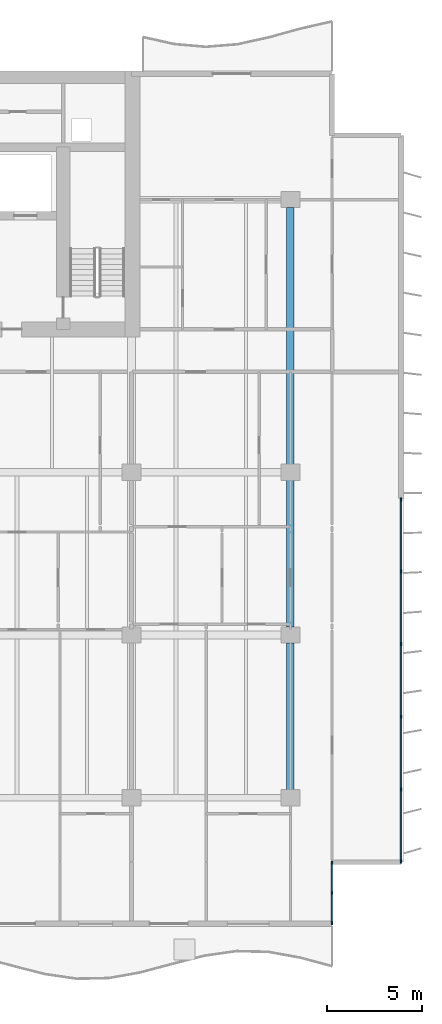
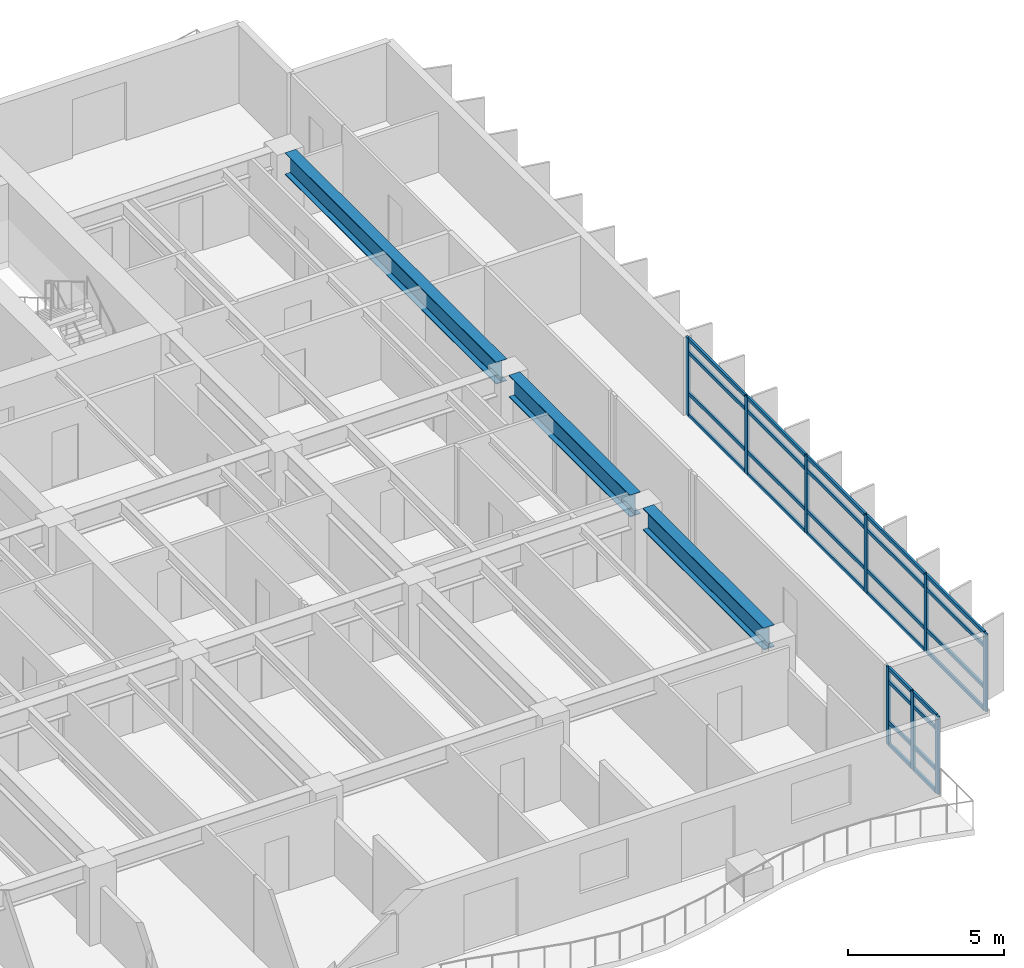
# One storey, part 4 of 18: 37 members, 3 beams, 2 elements without a shape of their own.
"""IFC4 building model written with IfcOpenShell, lengths in metres."""

from ifc_helpers import new_model, si_unit, direction, frame, origin, origin_2d, place, context, subcontext, project, spatial, rectangle, i_section, extrude, material, layer, layer_set, material_profile, profile_set, type_object, element, aggregate, save


model = new_model("IFC4")

# Units and contexts
model_context = context("Model", 3, precision=1e-05, world=origin(), true_north=direction((0.0, 1.0)))
body_context = subcontext(model_context, "Body", "Model", "MODEL_VIEW")
ifc_project = project(units=[si_unit("LENGTHUNIT", "METRE"), si_unit("AREAUNIT", "SQUARE_METRE"), si_unit("VOLUMEUNIT", "CUBIC_METRE"), si_unit("PLANEANGLEUNIT", "RADIAN"), si_unit("MASSUNIT", "GRAM", prefix="KILO")], contexts=[model_context])

# Site, building, storey
site_placement = place(None, origin())
site = spatial("IfcSite", under=ifc_project, at=site_placement, CompositionType="ELEMENT")
building_placement = place(site_placement, origin())
building = spatial("IfcBuilding", under=site, at=building_placement, Name="Caelmar Bay Residences", CompositionType="ELEMENT")
storey_placement = place(building_placement, frame((0.0, 0.0, 125.699951171875)))
storey = spatial("IfcBuildingStorey", under=building, at=storey_placement, Name="L34", CompositionType="ELEMENT", Elevation=125.699951171875)

# Beams
ifc_material_1 = material(Name="Steel ASTM A992 Grade 50", Category="steel")
ifc_material_profile_1 = material_profile(ifc_material_1, i_section(OverallWidth=0.40087890625, OverallDepth=0.861083984375, WebThickness=0.019775390625, FlangeThickness=0.032470703125, FilletRadius=0.017822265625, at=origin_2d()), Name="W33X221")
ifc_profile_set_1 = profile_set([ifc_material_profile_1], Name="Steel ASTM A992 Grade 50")
beam_type = type_object("IfcBeamType", Name="BM-GRD-W33X221", PredefinedType="BEAM", material=ifc_profile_set_1)
for number, where, z_axis, x_axis, name in (
    (1, (67.89990234375, 12.614990234375, 2.61962890625), (0.0, 1.0, 0.0), (-1.0, 0.0, 0.0), "L34 North-South Girder X=67.90 (12.2-20.8)"),
    (2, (67.89990234375, 21.215087890625, 2.61962890625), (0.0, 1.0, 0.0), (-1.0, 0.0, 0.0), "L34 North-South Girder X=67.90 (20.8-29.4)"),
):
    element("IfcBeam", number, at=place(storey_placement, frame(where, z_axis=z_axis, x_axis=x_axis)), inside=storey, type_object=beam_type, Name=name, PredefinedType="BEAM", context=body_context, shape_type="SweptSolid", body=[
        extrude(i_section(OverallWidth=0.40087890625, OverallDepth=0.861083984375, WebThickness=0.019775390625, FlangeThickness=0.032470703125, FilletRadius=0.017822265625, at=origin_2d()), origin(), (0.0, 0.0, 1.0), 7.77001953125),
    ])
beam_placement = place(storey_placement, frame((67.89990234375, 29.81494140625, 2.61962890625), z_axis=(0.0, 1.0, 0.0), x_axis=(-1.0, 0.0, 0.0)))
element("IfcBeam", 3, at=beam_placement, inside=storey, type_object=beam_type, Name="L34 North-South Girder X=67.90 (29.4-43.8)", PredefinedType="BEAM", context=body_context, shape_type="SweptSolid", body=[
    extrude(i_section(OverallWidth=0.40087890625, OverallDepth=0.861083984375, WebThickness=0.019775390625, FlangeThickness=0.032470703125, FilletRadius=0.017822265625, at=origin_2d()), origin(), (0.0, 0.0, 1.0), 13.570068359375),
])

# Curtain wall, members
ifc_material_2 = material(Name="Anodised bronze aluminium 6063-T6 and laminated glass", Category="aluminium")
ifc_layer_1 = layer(ifc_material_2, 0.179931640625)
ifc_layer_set_1 = layer_set([ifc_layer_1], Name="Anodised bronze aluminium 6063-T6 and laminated glass")
curtain_wall_type_1 = type_object("IfcCurtainWallType", Name="CW6-NTC", PredefinedType="NOTDEFINED", material=ifc_layer_set_1)
curtain_wall_1_placement = place(storey_placement, origin())
curtain_wall_1 = element("IfcCurtainWall", 4, at=curtain_wall_1_placement, inside=storey, type_object=curtain_wall_type_1, Name="CW6 curtain wall L34", PredefinedType="NOTDEFINED")
ifc_material_3 = material(Name="Anodised bronze aluminium 6063-T6", Category="aluminium")
ifc_material_profile_2 = material_profile(ifc_material_3, rectangle(XDim=0.080078125, YDim=0.179931640625, at=origin_2d()), Name="CWM-80X180")
ifc_profile_set_2 = profile_set([ifc_material_profile_2], Name="Anodised bronze aluminium 6063-T6")
member_type_1 = type_object("IfcMemberType", Name="CWM-180", PredefinedType="MULLION", material=ifc_profile_set_2)
member_1_placement = place(storey_placement, frame((70.10009765625, 5.590087890625, 0.0), z_axis=(0.0, 0.0, 1.0), x_axis=(-1.0, 0.0, 0.0)))
member_1 = element("IfcMember", 5, at=member_1_placement, type_object=member_type_1, Name="CW6 mullion 1", PredefinedType="MULLION", context=body_context, shape_type="SweptSolid", body=[
    extrude(rectangle(XDim=0.080078125, YDim=0.179931640625, at=origin_2d()), origin(), (0.0, 0.0, 1.0), 3.050048828125),
])
member_2_placement = place(storey_placement, frame((70.10009765625, 7.175048828125, 0.0), z_axis=(0.0, 0.0, 1.0), x_axis=(-1.0, 0.0, 0.0)))
member_2 = element("IfcMember", 6, at=member_2_placement, type_object=member_type_1, Name="CW6 mullion 2", PredefinedType="MULLION", context=body_context, shape_type="SweptSolid", body=[
    extrude(rectangle(XDim=0.080078125, YDim=0.179931640625, at=origin_2d()), origin(), (0.0, 0.0, 1.0), 3.050048828125),
])
member_3_placement = place(storey_placement, frame((70.10009765625, 8.760009765625, 0.0), z_axis=(0.0, 0.0, 1.0), x_axis=(-1.0, 0.0, 0.0)))
member_3 = element("IfcMember", 7, at=member_3_placement, type_object=member_type_1, Name="CW6 mullion 3", PredefinedType="MULLION", context=body_context, shape_type="SweptSolid", body=[
    extrude(rectangle(XDim=0.080078125, YDim=0.179931640625, at=origin_2d()), origin(), (0.0, 0.0, 1.0), 3.050048828125),
])

ifc_layer_2 = layer(ifc_material_2, 0.179931640625)
ifc_layer_set_2 = layer_set([ifc_layer_2], Name="Anodised bronze aluminium 6063-T6 and laminated glass")
curtain_wall_type_2 = type_object("IfcCurtainWallType", Name="CW3-Z2", PredefinedType="NOTDEFINED", material=ifc_layer_set_2)
curtain_wall_2_placement = place(storey_placement, origin())
curtain_wall_2 = element("IfcCurtainWall", 8, at=curtain_wall_2_placement, inside=storey, type_object=curtain_wall_type_2, Name="CW3 curtain wall L34", PredefinedType="NOTDEFINED")
member_4_placement = place(storey_placement, frame((73.75, 27.9599609375, 0.0), z_axis=(0.0, 0.0, 1.0), x_axis=(1.0, 0.0, 0.0)))
member_4 = element("IfcMember", 9, at=member_4_placement, type_object=member_type_1, Name="CW3 mullion 1", PredefinedType="MULLION", context=body_context, shape_type="SweptSolid", body=[
    extrude(rectangle(XDim=0.080078125, YDim=0.179931640625, at=origin_2d()), origin(), (0.0, 0.0, 1.0), 3.050048828125),
])
member_5_placement = place(storey_placement, frame((73.75, 24.159912109375, 0.0), z_axis=(0.0, 0.0, 1.0), x_axis=(1.0, 0.0, 0.0)))
member_5 = element("IfcMember", 10, at=member_5_placement, type_object=member_type_1, Name="CW3 mullion 2", PredefinedType="MULLION", context=body_context, shape_type="SweptSolid", body=[
    extrude(rectangle(XDim=0.080078125, YDim=0.179931640625, at=origin_2d()), origin(), (0.0, 0.0, 1.0), 3.050048828125),
])
member_6_placement = place(storey_placement, frame((73.75, 20.320068359375, 0.0), z_axis=(0.0, 0.0, 1.0), x_axis=(1.0, 0.0, 0.0)))
member_6 = element("IfcMember", 11, at=member_6_placement, type_object=member_type_1, Name="CW3 mullion 3", PredefinedType="MULLION", context=body_context, shape_type="SweptSolid", body=[
    extrude(rectangle(XDim=0.080078125, YDim=0.179931640625, at=origin_2d()), origin(), (0.0, 0.0, 1.0), 3.050048828125),
])
member_7_placement = place(storey_placement, frame((73.75, 16.47998046875, 0.0), z_axis=(0.0, 0.0, 1.0), x_axis=(1.0, 0.0, 0.0)))
member_7 = element("IfcMember", 12, at=member_7_placement, type_object=member_type_1, Name="CW3 mullion 4", PredefinedType="MULLION", context=body_context, shape_type="SweptSolid", body=[
    extrude(rectangle(XDim=0.080078125, YDim=0.179931640625, at=origin_2d()), origin(), (0.0, 0.0, 1.0), 3.050048828125),
])
member_8_placement = place(storey_placement, frame((73.75, 12.639892578125, 0.0), z_axis=(0.0, 0.0, 1.0), x_axis=(1.0, 0.0, 0.0)))
member_8 = element("IfcMember", 13, at=member_8_placement, type_object=member_type_1, Name="CW3 mullion 5", PredefinedType="MULLION", context=body_context, shape_type="SweptSolid", body=[
    extrude(rectangle(XDim=0.080078125, YDim=0.179931640625, at=origin_2d()), origin(), (0.0, 0.0, 1.0), 3.050048828125),
])
member_9_placement = place(storey_placement, frame((73.75, 8.840087890625, 0.0), z_axis=(0.0, 0.0, 1.0), x_axis=(1.0, 0.0, 0.0)))
member_9 = element("IfcMember", 14, at=member_9_placement, type_object=member_type_1, Name="CW3 mullion 6", PredefinedType="MULLION", context=body_context, shape_type="SweptSolid", body=[
    extrude(rectangle(XDim=0.080078125, YDim=0.179931640625, at=origin_2d()), origin(), (0.0, 0.0, 1.0), 3.050048828125),
])

# Member
ifc_material_profile_3 = material_profile(ifc_material_3, rectangle(XDim=0.080078125, YDim=0.139892578125, at=origin_2d()), Name="CWT-80X140")
ifc_profile_set_3 = profile_set([ifc_material_profile_3], Name="Anodised bronze aluminium 6063-T6")
member_type_2 = type_object("IfcMemberType", Name="CWT-140", PredefinedType="NOTDEFINED", material=ifc_profile_set_3)
member_10_placement = place(storey_placement, frame((70.10009765625, 5.6298828125, 0.0400390625), z_axis=(0.0, 1.0, 0.0), x_axis=(-1.0, 0.0, 0.0)))
member_10 = element("IfcMember", 15, at=member_10_placement, type_object=member_type_2, Name="CW6 transom 1.1", ObjectType="TRANSOM", PredefinedType="USERDEFINED", context=body_context, shape_type="SweptSolid", body=[
    extrude(rectangle(XDim=0.080078125, YDim=0.139892578125, at=origin_2d()), origin(), (0.0, 0.0, 1.0), 1.505126953125),
])

member_11_placement = place(storey_placement, frame((70.10009765625, 5.6298828125, 0.900146484375), z_axis=(0.0, 1.0, 0.0), x_axis=(-1.0, 0.0, 0.0)))
member_11 = element("IfcMember", 16, at=member_11_placement, type_object=member_type_2, Name="CW6 transom 1.2", ObjectType="TRANSOM", PredefinedType="USERDEFINED", context=body_context, shape_type="SweptSolid", body=[
    extrude(rectangle(XDim=0.080078125, YDim=0.139892578125, at=origin_2d()), origin(), (0.0, 0.0, 1.0), 1.505126953125),
])

member_12_placement = place(storey_placement, frame((70.10009765625, 5.6298828125, 2.5), z_axis=(0.0, 1.0, 0.0), x_axis=(-1.0, 0.0, 0.0)))
member_12 = element("IfcMember", 17, at=member_12_placement, type_object=member_type_2, Name="CW6 transom 1.3", ObjectType="TRANSOM", PredefinedType="USERDEFINED", context=body_context, shape_type="SweptSolid", body=[
    extrude(rectangle(XDim=0.080078125, YDim=0.139892578125, at=origin_2d()), origin(), (0.0, 0.0, 1.0), 1.505126953125),
])

member_13_placement = place(storey_placement, frame((70.10009765625, 5.6298828125, 3.010009765625), z_axis=(0.0, 1.0, 0.0), x_axis=(-1.0, 0.0, 0.0)))
member_13 = element("IfcMember", 18, at=member_13_placement, type_object=member_type_2, Name="CW6 transom 1.4", ObjectType="TRANSOM", PredefinedType="USERDEFINED", context=body_context, shape_type="SweptSolid", body=[
    extrude(rectangle(XDim=0.080078125, YDim=0.139892578125, at=origin_2d()), origin(), (0.0, 0.0, 1.0), 1.505126953125),
])

member_14_placement = place(storey_placement, frame((70.10009765625, 7.215087890625, 0.0400390625), z_axis=(0.0, 1.0, 0.0), x_axis=(-1.0, 0.0, 0.0)))
member_14 = element("IfcMember", 19, at=member_14_placement, type_object=member_type_2, Name="CW6 transom 2.1", ObjectType="TRANSOM", PredefinedType="USERDEFINED", context=body_context, shape_type="SweptSolid", body=[
    extrude(rectangle(XDim=0.080078125, YDim=0.139892578125, at=origin_2d()), origin(), (0.0, 0.0, 1.0), 1.5048828125),
])

member_15_placement = place(storey_placement, frame((70.10009765625, 7.215087890625, 0.900146484375), z_axis=(0.0, 1.0, 0.0), x_axis=(-1.0, 0.0, 0.0)))
member_15 = element("IfcMember", 20, at=member_15_placement, type_object=member_type_2, Name="CW6 transom 2.2", ObjectType="TRANSOM", PredefinedType="USERDEFINED", context=body_context, shape_type="SweptSolid", body=[
    extrude(rectangle(XDim=0.080078125, YDim=0.139892578125, at=origin_2d()), origin(), (0.0, 0.0, 1.0), 1.5048828125),
])

member_16_placement = place(storey_placement, frame((70.10009765625, 7.215087890625, 2.5), z_axis=(0.0, 1.0, 0.0), x_axis=(-1.0, 0.0, 0.0)))
member_16 = element("IfcMember", 21, at=member_16_placement, type_object=member_type_2, Name="CW6 transom 2.3", ObjectType="TRANSOM", PredefinedType="USERDEFINED", context=body_context, shape_type="SweptSolid", body=[
    extrude(rectangle(XDim=0.080078125, YDim=0.139892578125, at=origin_2d()), origin(), (0.0, 0.0, 1.0), 1.5048828125),
])

member_17_placement = place(storey_placement, frame((70.10009765625, 7.215087890625, 3.010009765625), z_axis=(0.0, 1.0, 0.0), x_axis=(-1.0, 0.0, 0.0)))
member_17 = element("IfcMember", 22, at=member_17_placement, type_object=member_type_2, Name="CW6 transom 2.4", ObjectType="TRANSOM", PredefinedType="USERDEFINED", context=body_context, shape_type="SweptSolid", body=[
    extrude(rectangle(XDim=0.080078125, YDim=0.139892578125, at=origin_2d()), origin(), (0.0, 0.0, 1.0), 1.5048828125),
])

aggregate(curtain_wall_1, [member_1, member_2, member_3, member_10, member_11, member_12, member_13, member_14, member_15, member_16, member_17])

member_18_placement = place(storey_placement, frame((73.75, 27.919921875, 0.0400390625), z_axis=(0.0, -1.0, 0.0), x_axis=(1.0, 0.0, 0.0)))
member_18 = element("IfcMember", 23, at=member_18_placement, type_object=member_type_2, Name="CW3 transom 1.1", ObjectType="TRANSOM", PredefinedType="USERDEFINED", context=body_context, shape_type="SweptSolid", body=[
    extrude(rectangle(XDim=0.080078125, YDim=0.139892578125, at=origin_2d()), origin(), (0.0, 0.0, 1.0), 3.719970703125),
])

member_19_placement = place(storey_placement, frame((73.75, 27.919921875, 0.900146484375), z_axis=(0.0, -1.0, 0.0), x_axis=(1.0, 0.0, 0.0)))
member_19 = element("IfcMember", 24, at=member_19_placement, type_object=member_type_2, Name="CW3 transom 1.2", ObjectType="TRANSOM", PredefinedType="USERDEFINED", context=body_context, shape_type="SweptSolid", body=[
    extrude(rectangle(XDim=0.080078125, YDim=0.139892578125, at=origin_2d()), origin(), (0.0, 0.0, 1.0), 3.719970703125),
])

member_20_placement = place(storey_placement, frame((73.75, 27.919921875, 2.5), z_axis=(0.0, -1.0, 0.0), x_axis=(1.0, 0.0, 0.0)))
member_20 = element("IfcMember", 25, at=member_20_placement, type_object=member_type_2, Name="CW3 transom 1.3", ObjectType="TRANSOM", PredefinedType="USERDEFINED", context=body_context, shape_type="SweptSolid", body=[
    extrude(rectangle(XDim=0.080078125, YDim=0.139892578125, at=origin_2d()), origin(), (0.0, 0.0, 1.0), 3.719970703125),
])

member_21_placement = place(storey_placement, frame((73.75, 27.919921875, 3.010009765625), z_axis=(0.0, -1.0, 0.0), x_axis=(1.0, 0.0, 0.0)))
member_21 = element("IfcMember", 26, at=member_21_placement, type_object=member_type_2, Name="CW3 transom 1.4", ObjectType="TRANSOM", PredefinedType="USERDEFINED", context=body_context, shape_type="SweptSolid", body=[
    extrude(rectangle(XDim=0.080078125, YDim=0.139892578125, at=origin_2d()), origin(), (0.0, 0.0, 1.0), 3.719970703125),
])

member_22_placement = place(storey_placement, frame((73.75, 24.1201171875, 0.0400390625), z_axis=(0.0, -1.0, 0.0), x_axis=(1.0, 0.0, 0.0)))
member_22 = element("IfcMember", 27, at=member_22_placement, type_object=member_type_2, Name="CW3 transom 2.1", ObjectType="TRANSOM", PredefinedType="USERDEFINED", context=body_context, shape_type="SweptSolid", body=[
    extrude(rectangle(XDim=0.080078125, YDim=0.139892578125, at=origin_2d()), origin(), (0.0, 0.0, 1.0), 3.760009765625),
])

member_23_placement = place(storey_placement, frame((73.75, 24.1201171875, 0.900146484375), z_axis=(0.0, -1.0, 0.0), x_axis=(1.0, 0.0, 0.0)))
member_23 = element("IfcMember", 28, at=member_23_placement, type_object=member_type_2, Name="CW3 transom 2.2", ObjectType="TRANSOM", PredefinedType="USERDEFINED", context=body_context, shape_type="SweptSolid", body=[
    extrude(rectangle(XDim=0.080078125, YDim=0.139892578125, at=origin_2d()), origin(), (0.0, 0.0, 1.0), 3.760009765625),
])

member_24_placement = place(storey_placement, frame((73.75, 24.1201171875, 2.5), z_axis=(0.0, -1.0, 0.0), x_axis=(1.0, 0.0, 0.0)))
member_24 = element("IfcMember", 29, at=member_24_placement, type_object=member_type_2, Name="CW3 transom 2.3", ObjectType="TRANSOM", PredefinedType="USERDEFINED", context=body_context, shape_type="SweptSolid", body=[
    extrude(rectangle(XDim=0.080078125, YDim=0.139892578125, at=origin_2d()), origin(), (0.0, 0.0, 1.0), 3.760009765625),
])

member_25_placement = place(storey_placement, frame((73.75, 24.1201171875, 3.010009765625), z_axis=(0.0, -1.0, 0.0), x_axis=(1.0, 0.0, 0.0)))
member_25 = element("IfcMember", 30, at=member_25_placement, type_object=member_type_2, Name="CW3 transom 2.4", ObjectType="TRANSOM", PredefinedType="USERDEFINED", context=body_context, shape_type="SweptSolid", body=[
    extrude(rectangle(XDim=0.080078125, YDim=0.139892578125, at=origin_2d()), origin(), (0.0, 0.0, 1.0), 3.760009765625),
])

member_26_placement = place(storey_placement, frame((73.75, 20.280029296875, 0.0400390625), z_axis=(0.0, -1.0, 0.0), x_axis=(1.0, 0.0, 0.0)))
member_26 = element("IfcMember", 31, at=member_26_placement, type_object=member_type_2, Name="CW3 transom 3.1", ObjectType="TRANSOM", PredefinedType="USERDEFINED", context=body_context, shape_type="SweptSolid", body=[
    extrude(rectangle(XDim=0.080078125, YDim=0.139892578125, at=origin_2d()), origin(), (0.0, 0.0, 1.0), 3.760009765625),
])

member_27_placement = place(storey_placement, frame((73.75, 20.280029296875, 0.900146484375), z_axis=(0.0, -1.0, 0.0), x_axis=(1.0, 0.0, 0.0)))
member_27 = element("IfcMember", 32, at=member_27_placement, type_object=member_type_2, Name="CW3 transom 3.2", ObjectType="TRANSOM", PredefinedType="USERDEFINED", context=body_context, shape_type="SweptSolid", body=[
    extrude(rectangle(XDim=0.080078125, YDim=0.139892578125, at=origin_2d()), origin(), (0.0, 0.0, 1.0), 3.760009765625),
])

member_28_placement = place(storey_placement, frame((73.75, 20.280029296875, 2.5), z_axis=(0.0, -1.0, 0.0), x_axis=(1.0, 0.0, 0.0)))
member_28 = element("IfcMember", 33, at=member_28_placement, type_object=member_type_2, Name="CW3 transom 3.3", ObjectType="TRANSOM", PredefinedType="USERDEFINED", context=body_context, shape_type="SweptSolid", body=[
    extrude(rectangle(XDim=0.080078125, YDim=0.139892578125, at=origin_2d()), origin(), (0.0, 0.0, 1.0), 3.760009765625),
])

member_29_placement = place(storey_placement, frame((73.75, 20.280029296875, 3.010009765625), z_axis=(0.0, -1.0, 0.0), x_axis=(1.0, 0.0, 0.0)))
member_29 = element("IfcMember", 34, at=member_29_placement, type_object=member_type_2, Name="CW3 transom 3.4", ObjectType="TRANSOM", PredefinedType="USERDEFINED", context=body_context, shape_type="SweptSolid", body=[
    extrude(rectangle(XDim=0.080078125, YDim=0.139892578125, at=origin_2d()), origin(), (0.0, 0.0, 1.0), 3.760009765625),
])

member_30_placement = place(storey_placement, frame((73.75, 16.43994140625, 0.0400390625), z_axis=(0.0, -1.0, 0.0), x_axis=(1.0, 0.0, 0.0)))
member_30 = element("IfcMember", 35, at=member_30_placement, type_object=member_type_2, Name="CW3 transom 4.1", ObjectType="TRANSOM", PredefinedType="USERDEFINED", context=body_context, shape_type="SweptSolid", body=[
    extrude(rectangle(XDim=0.080078125, YDim=0.139892578125, at=origin_2d()), origin(), (0.0, 0.0, 1.0), 3.760009765625),
])

member_31_placement = place(storey_placement, frame((73.75, 16.43994140625, 0.900146484375), z_axis=(0.0, -1.0, 0.0), x_axis=(1.0, 0.0, 0.0)))
member_31 = element("IfcMember", 36, at=member_31_placement, type_object=member_type_2, Name="CW3 transom 4.2", ObjectType="TRANSOM", PredefinedType="USERDEFINED", context=body_context, shape_type="SweptSolid", body=[
    extrude(rectangle(XDim=0.080078125, YDim=0.139892578125, at=origin_2d()), origin(), (0.0, 0.0, 1.0), 3.760009765625),
])

member_32_placement = place(storey_placement, frame((73.75, 16.43994140625, 2.5), z_axis=(0.0, -1.0, 0.0), x_axis=(1.0, 0.0, 0.0)))
member_32 = element("IfcMember", 37, at=member_32_placement, type_object=member_type_2, Name="CW3 transom 4.3", ObjectType="TRANSOM", PredefinedType="USERDEFINED", context=body_context, shape_type="SweptSolid", body=[
    extrude(rectangle(XDim=0.080078125, YDim=0.139892578125, at=origin_2d()), origin(), (0.0, 0.0, 1.0), 3.760009765625),
])

member_33_placement = place(storey_placement, frame((73.75, 16.43994140625, 3.010009765625), z_axis=(0.0, -1.0, 0.0), x_axis=(1.0, 0.0, 0.0)))
member_33 = element("IfcMember", 38, at=member_33_placement, type_object=member_type_2, Name="CW3 transom 4.4", ObjectType="TRANSOM", PredefinedType="USERDEFINED", context=body_context, shape_type="SweptSolid", body=[
    extrude(rectangle(XDim=0.080078125, YDim=0.139892578125, at=origin_2d()), origin(), (0.0, 0.0, 1.0), 3.760009765625),
])

member_34_placement = place(storey_placement, frame((73.75, 12.60009765625, 0.0400390625), z_axis=(0.0, -1.0, 0.0), x_axis=(1.0, 0.0, 0.0)))
member_34 = element("IfcMember", 39, at=member_34_placement, type_object=member_type_2, Name="CW3 transom 5.1", ObjectType="TRANSOM", PredefinedType="USERDEFINED", context=body_context, shape_type="SweptSolid", body=[
    extrude(rectangle(XDim=0.080078125, YDim=0.139892578125, at=origin_2d()), origin(), (0.0, 0.0, 1.0), 3.72021484375),
])

member_35_placement = place(storey_placement, frame((73.75, 12.60009765625, 0.900146484375), z_axis=(0.0, -1.0, 0.0), x_axis=(1.0, 0.0, 0.0)))
member_35 = element("IfcMember", 40, at=member_35_placement, type_object=member_type_2, Name="CW3 transom 5.2", ObjectType="TRANSOM", PredefinedType="USERDEFINED", context=body_context, shape_type="SweptSolid", body=[
    extrude(rectangle(XDim=0.080078125, YDim=0.139892578125, at=origin_2d()), origin(), (0.0, 0.0, 1.0), 3.72021484375),
])

member_36_placement = place(storey_placement, frame((73.75, 12.60009765625, 2.5), z_axis=(0.0, -1.0, 0.0), x_axis=(1.0, 0.0, 0.0)))
member_36 = element("IfcMember", 41, at=member_36_placement, type_object=member_type_2, Name="CW3 transom 5.3", ObjectType="TRANSOM", PredefinedType="USERDEFINED", context=body_context, shape_type="SweptSolid", body=[
    extrude(rectangle(XDim=0.080078125, YDim=0.139892578125, at=origin_2d()), origin(), (0.0, 0.0, 1.0), 3.72021484375),
])

member_37_placement = place(storey_placement, frame((73.75, 12.60009765625, 3.010009765625), z_axis=(0.0, -1.0, 0.0), x_axis=(1.0, 0.0, 0.0)))
member_37 = element("IfcMember", 42, at=member_37_placement, type_object=member_type_2, Name="CW3 transom 5.4", ObjectType="TRANSOM", PredefinedType="USERDEFINED", context=body_context, shape_type="SweptSolid", body=[
    extrude(rectangle(XDim=0.080078125, YDim=0.139892578125, at=origin_2d()), origin(), (0.0, 0.0, 1.0), 3.72021484375),
])

aggregate(curtain_wall_2, [member_4, member_5, member_6, member_7, member_8, member_9, member_18, member_19, member_20, member_21, member_22, member_23, member_24, member_25, member_26, member_27, member_28, member_29, member_30, member_31, member_32, member_33, member_34, member_35, member_36, member_37])

save(model, "model.ifc")
